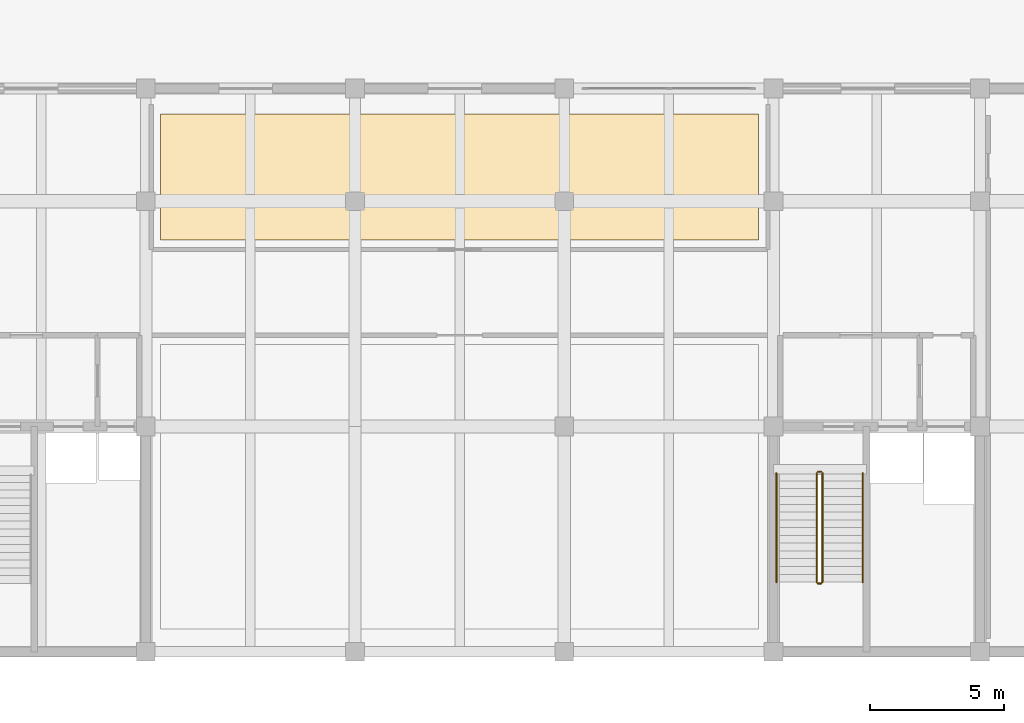
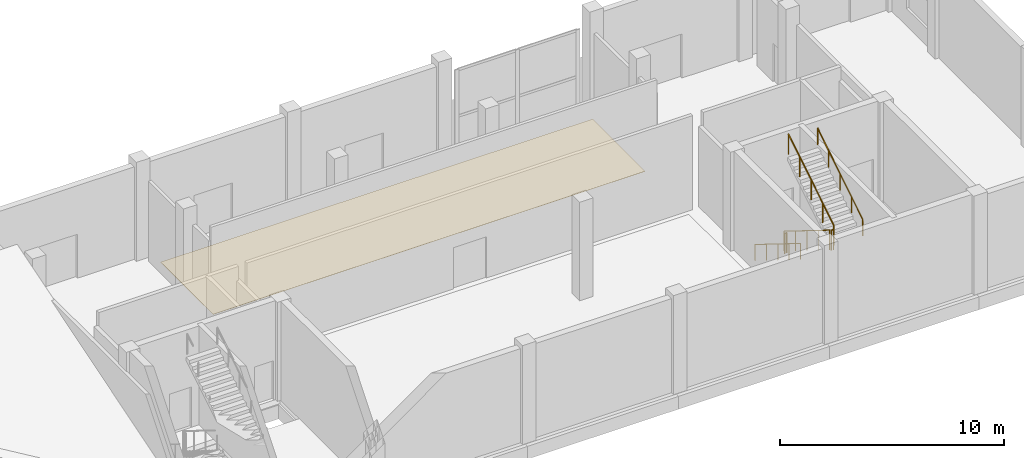
# One storey, part 41 of 41: 6 railings, 1 covering.
"""IFC4 building model written with IfcOpenShell, lengths in metres."""

from ifc_helpers import new_model, si_unit, direction, frame, origin, origin_2d, place, context, subcontext, project, spatial, polyline, circle, outline, extrude, material, layer, layer_set, type_object, element, save


model = new_model("IFC4")

# Units and contexts
model_context = context("Model", 3, precision=1e-05, world=origin(), true_north=direction((0.0, 1.0)))
body_context = subcontext(model_context, "Body", "Model", "MODEL_VIEW")
ifc_project = project(units=[si_unit("LENGTHUNIT", "METRE"), si_unit("AREAUNIT", "SQUARE_METRE"), si_unit("VOLUMEUNIT", "CUBIC_METRE"), si_unit("PLANEANGLEUNIT", "RADIAN"), si_unit("MASSUNIT", "GRAM", prefix="KILO")], contexts=[model_context])

# Site, building, storey
site_placement = place(None, origin())
site = spatial("IfcSite", under=ifc_project, at=site_placement, CompositionType="ELEMENT")
building_placement = place(site_placement, origin())
building = spatial("IfcBuilding", under=site, at=building_placement, Name="Vharandega Faculty of Natural Sciences", CompositionType="ELEMENT")
storey_placement = place(building_placement, origin())
storey = spatial("IfcBuildingStorey", under=building, at=storey_placement, Name="L00", CompositionType="ELEMENT", Elevation=0.0)

# Covering
ifc_material_1 = material(Name="Chemical-resistant seamless epoxy flooring", Category="concrete")
ifc_layer = layer(ifc_material_1, 0.014892578125, Name="Chemical-resistant seamless epoxy flooring")
ifc_layer_set = layer_set([ifc_layer], Name="Chemical-resistant seamless epoxy flooring")
covering_type = type_object("IfcCoveringType", Name="Laboratory Seamless Epoxy Flooring 15mm", PredefinedType="FLOORING", material=ifc_layer_set)
covering_placement = place(storey_placement, origin())
element("IfcCovering", 1, at=covering_placement, inside=storey, type_object=covering_type, Name="L00-LAB01 Finish Flooring", PredefinedType="FLOORING", context=body_context, shape_type="SweptSolid", body=[
    extrude(outline(polyline([(123.14990234375, 79.35009765625), (145.449951171875, 79.35009765625), (145.449951171875, 84.050048828125), (123.14990234375, 84.050048828125), (123.14990234375, 79.35009765625)])), origin(), (0.0, 0.0, 1.0), 0.014892578125),
])

# Railings
ifc_material_2 = material(Name="Brushed stainless steel handrail", Category="steel")
railing_type_1 = type_object("IfcRailingType", Name="Stair Tubular Handrail 900", PredefinedType="HANDRAIL", material=ifc_material_2)
railing_1_placement = place(storey_placement, frame((146.110107421875, 70.659912109375, 0.179931640625)))
element("IfcRailing", 2, at=railing_1_placement, inside=storey, type_object=railing_type_1, Name="L00 ST2 stair handrail 1", PredefinedType="HANDRAIL", context=body_context, shape_type="SweptSolid", body=[
    extrude(circle(Radius=0.02392578125, at=origin_2d()), frame((0.0, 0.0, 0.8759765625), z_axis=(0.0, -0.849627535208, 0.527383211162), x_axis=(1.0, 0.0, 0.0)), (0.0, 0.0, 1.0), 4.7783203125),
    extrude(circle(Radius=0.02099609375, at=origin_2d()), origin(), (0.0, 0.0, 1.0), 0.851806640625),
    extrude(circle(Radius=0.02099609375, at=origin_2d()), frame((0.0, -1.014892578125, 0.6298828125)), (0.0, 0.0, 1.0), 0.851806640625),
    extrude(circle(Radius=0.02099609375, at=origin_2d()), frame((0.0, -2.02978515625, 1.260009765625)), (0.0, 0.0, 1.0), 0.851806640625),
    extrude(circle(Radius=0.02099609375, at=origin_2d()), frame((0.0, -3.044921875, 1.89013671875)), (0.0, 0.0, 1.0), 0.851806640625),
    extrude(circle(Radius=0.02099609375, at=origin_2d()), frame((0.0, -4.059814453125, 2.52001953125)), (0.0, 0.0, 1.0), 0.851806640625),
])
railing_2_placement = place(storey_placement, frame((149.330078125, 66.60009765625, 2.8798828125)))
element("IfcRailing", 3, at=railing_2_placement, inside=storey, type_object=railing_type_1, Name="L00 ST2 stair handrail 2", PredefinedType="HANDRAIL", context=body_context, shape_type="SweptSolid", body=[
    extrude(circle(Radius=0.02392578125, at=origin_2d()), frame((0.0, 0.0, 0.8759765625), z_axis=(0.0, 0.849627535208, 0.527383211162), x_axis=(-1.0, 0.0, 0.0)), (0.0, 0.0, 1.0), 4.7783203125),
    extrude(circle(Radius=0.02099609375, at=origin_2d()), origin(), (0.0, 0.0, 1.0), 0.851806640625),
    extrude(circle(Radius=0.02099609375, at=origin_2d()), frame((0.0, 1.014892578125, 0.6298828125)), (0.0, 0.0, 1.0), 0.851806640625),
    extrude(circle(Radius=0.02099609375, at=origin_2d()), frame((0.0, 2.02978515625, 1.260009765625)), (0.0, 0.0, 1.0), 0.851806640625),
    extrude(circle(Radius=0.02099609375, at=origin_2d()), frame((0.0, 3.044921875, 1.89013671875)), (0.0, 0.0, 1.0), 0.851806640625),
    extrude(circle(Radius=0.02099609375, at=origin_2d()), frame((0.0, 4.059814453125, 2.52001953125)), (0.0, 0.0, 1.0), 0.851806640625),
])
ifc_material_3 = material(Name="Painted steel stair guardrail", Category="steel")
railing_type_2 = type_object("IfcRailingType", Name="Stairwell Steel Guardrail 1100", PredefinedType="GUARDRAIL", material=ifc_material_3)
railing_3_placement = place(storey_placement, frame((147.610107421875, 70.659912109375, 0.179931640625)))
element("IfcRailing", 4, at=railing_3_placement, inside=storey, type_object=railing_type_2, Name="L00 ST2 stair guard 1", PredefinedType="GUARDRAIL", context=body_context, shape_type="SweptSolid", body=[
    extrude(circle(Radius=0.02392578125, at=origin_2d()), frame((0.0, 0.0, 1.076171875), z_axis=(0.0, -0.849627535208, 0.527383211162), x_axis=(1.0, 0.0, 0.0)), (0.0, 0.0, 1.0), 4.7783203125),
    extrude(circle(Radius=0.02099609375, at=origin_2d()), origin(), (0.0, 0.0, 1.0), 1.052001953125),
    extrude(circle(Radius=0.02099609375, at=origin_2d()), frame((0.0, -1.014892578125, 0.6298828125)), (0.0, 0.0, 1.0), 1.052001953125),
    extrude(circle(Radius=0.02099609375, at=origin_2d()), frame((0.0, -2.02978515625, 1.260009765625)), (0.0, 0.0, 1.0), 1.052001953125),
    extrude(circle(Radius=0.02099609375, at=origin_2d()), frame((0.0, -3.044921875, 1.89013671875)), (0.0, 0.0, 1.0), 1.052001953125),
    extrude(circle(Radius=0.02099609375, at=origin_2d()), frame((0.0, -4.059814453125, 2.52001953125)), (0.0, 0.0, 1.0), 1.052001953125),
])
railing_4_placement = place(storey_placement, frame((147.659912109375, 66.550048828125, 2.699951171875)))
element("IfcRailing", 5, at=railing_4_placement, inside=storey, type_object=railing_type_2, Name="L00 ST2 stair guard 2", PredefinedType="GUARDRAIL", context=body_context, shape_type="SweptSolid", body=[
    extrude(circle(Radius=0.02392578125, at=origin_2d()), frame((0.0, 0.0, 1.076171875), z_axis=(1.0, 0.0, 0.0), x_axis=(0.0, 1.0, 0.0)), (0.0, 0.0, 1.0), 0.1201171875),
    extrude(circle(Radius=0.02099609375, at=origin_2d()), origin(), (0.0, 0.0, 1.0), 1.052001953125),
    extrude(circle(Radius=0.02099609375, at=origin_2d()), frame((0.1201171875, 0.0, 0.0)), (0.0, 0.0, 1.0), 1.052001953125),
])
railing_5_placement = place(storey_placement, frame((147.830078125, 66.60009765625, 2.8798828125)))
element("IfcRailing", 6, at=railing_5_placement, inside=storey, type_object=railing_type_2, Name="L00 ST2 stair guard 3", PredefinedType="GUARDRAIL", context=body_context, shape_type="SweptSolid", body=[
    extrude(circle(Radius=0.02392578125, at=origin_2d()), frame((0.0, 0.0, 1.076171875), z_axis=(0.0, 0.849627535208, 0.527383211162), x_axis=(-1.0, 0.0, 0.0)), (0.0, 0.0, 1.0), 4.7783203125),
    extrude(circle(Radius=0.02099609375, at=origin_2d()), origin(), (0.0, 0.0, 1.0), 1.052001953125),
    extrude(circle(Radius=0.02099609375, at=origin_2d()), frame((0.0, 1.014892578125, 0.6298828125)), (0.0, 0.0, 1.0), 1.052001953125),
    extrude(circle(Radius=0.02099609375, at=origin_2d()), frame((0.0, 2.02978515625, 1.260009765625)), (0.0, 0.0, 1.0), 1.052001953125),
    extrude(circle(Radius=0.02099609375, at=origin_2d()), frame((0.0, 3.044921875, 1.89013671875)), (0.0, 0.0, 1.0), 1.052001953125),
    extrude(circle(Radius=0.02099609375, at=origin_2d()), frame((0.0, 4.059814453125, 2.52001953125)), (0.0, 0.0, 1.0), 1.052001953125),
])
railing_6_placement = place(storey_placement, frame((147.659912109375, 70.7099609375, 0.0)))
element("IfcRailing", 7, at=railing_6_placement, inside=storey, type_object=railing_type_2, Name="L00 ST2 stair guard 4", PredefinedType="GUARDRAIL", context=body_context, shape_type="SweptSolid", body=[
    extrude(circle(Radius=0.02392578125, at=origin_2d()), frame((0.0, 0.0, 1.076171875), z_axis=(1.0, 0.0, 0.0), x_axis=(0.0, 1.0, 0.0)), (0.0, 0.0, 1.0), 0.1201171875),
    extrude(circle(Radius=0.02099609375, at=origin_2d()), origin(), (0.0, 0.0, 1.0), 1.052001953125),
    extrude(circle(Radius=0.02099609375, at=origin_2d()), frame((0.1201171875, 0.0, 0.0)), (0.0, 0.0, 1.0), 1.052001953125),
])

save(model, "model.ifc")
